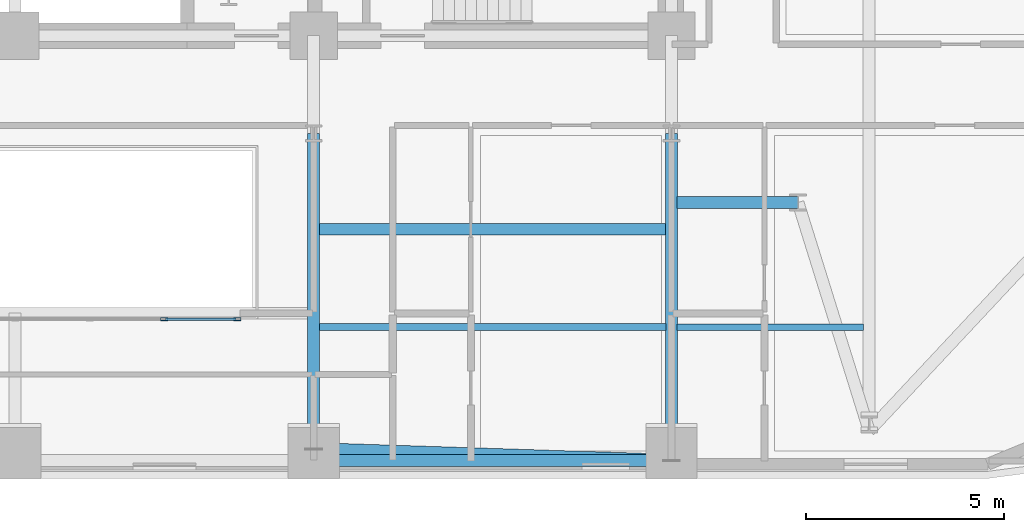
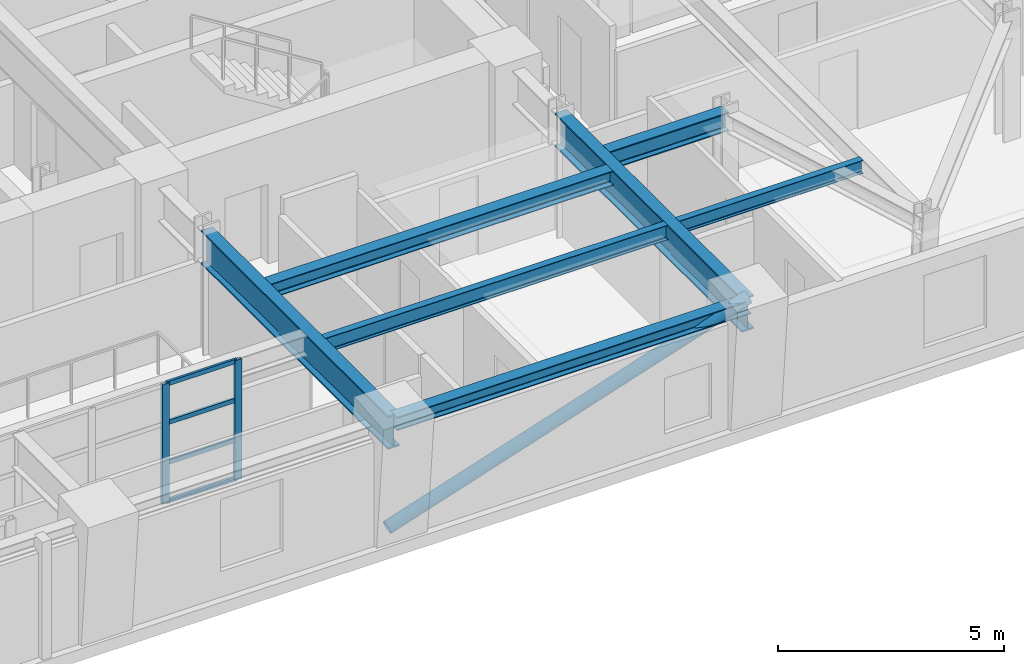
# One storey, part 5 of 16: 7 beams, 7 members, 1 element without a shape of its own.
"""IFC4 building model written with IfcOpenShell, lengths in metres."""

from ifc_helpers import new_model, si_unit, direction, frame, origin, origin_2d, place, context, subcontext, project, spatial, hollow_rectangle, hollow_circle, i_section, extrude, material, layer, layer_set, material_profile, profile_set, type_object, element, aggregate, save


model = new_model("IFC4")

# Units and contexts
model_context = context("Model", 3, precision=1e-05, world=origin(), true_north=direction((0.0, 1.0)))
body_context = subcontext(model_context, "Body", "Model", "MODEL_VIEW")
ifc_project = project(units=[si_unit("LENGTHUNIT", "METRE"), si_unit("AREAUNIT", "SQUARE_METRE"), si_unit("VOLUMEUNIT", "CUBIC_METRE"), si_unit("PLANEANGLEUNIT", "RADIAN"), si_unit("MASSUNIT", "GRAM", prefix="KILO")], contexts=[model_context])

# Site, building, storey
site_placement = place(None, origin())
site = spatial("IfcSite", under=ifc_project, at=site_placement, CompositionType="ELEMENT")
building_placement = place(site_placement, origin())
building = spatial("IfcBuilding", under=site, at=building_placement, Name="Zarnavel Station Tower", CompositionType="ELEMENT")
storey_placement = place(building_placement, frame((0.0, 0.0, 97.800048828125)))
storey = spatial("IfcBuildingStorey", under=building, at=storey_placement, Name="L26", CompositionType="ELEMENT", Elevation=97.800048828125)

# Curtain wall, members
ifc_material_1 = material(Name="Aluminium Dark Anodised and Solar-Control Glass", Category="aluminium")
ifc_layer = layer(ifc_material_1, 0.179931640625)
ifc_layer_set = layer_set([ifc_layer], Name="CWS3")
curtain_wall_type = type_object("IfcCurtainWallType", Name="CWS3", PredefinedType="NOTDEFINED", material=ifc_layer_set)
curtain_wall_placement = place(storey_placement, origin())
curtain_wall = element("IfcCurtainWall", 1, at=curtain_wall_placement, inside=storey, type_object=curtain_wall_type, Name="L26 Curtain Wall CWS3-L26-AS", PredefinedType="NOTDEFINED")
ifc_material_2 = material(Name="Steel S355J2 (Black Fluoropolymer Coated)", Category="steel")
ifc_material_profile_1 = material_profile(ifc_material_2, hollow_rectangle(XDim=0.080078125, YDim=0.179931640625, WallThickness=0.00634765625, at=origin_2d()), Name="RHS180x80x6.3")
ifc_profile_set_1 = profile_set([ifc_material_profile_1], Name="Steel S355J2 (Black Fluoropolymer Coated)")
member_type_1 = type_object("IfcMemberType", Name="CWS3_MUL", PredefinedType="MULLION", material=ifc_profile_set_1)
member_1_placement = place(storey_placement, frame((32.566650390625, 20.64990234375, 0.0), z_axis=(0.0, 0.0, 1.0), x_axis=(0.0, 1.0, 0.0)))
member_1 = element("IfcMember", 2, at=member_1_placement, type_object=member_type_1, Name="CW3 mullion 6", PredefinedType="MULLION", context=body_context, shape_type="SweptSolid", body=[
    extrude(hollow_rectangle(XDim=0.080078125, YDim=0.179931640625, WallThickness=0.00634765625, at=origin_2d()), origin(), (0.0, 0.0, 1.0), 3.239990234375),
])
member_2_placement = place(storey_placement, frame((34.419921875, 20.64990234375, 0.0), z_axis=(0.0, 0.0, 1.0), x_axis=(0.0, 1.0, 0.0)))
member_2 = element("IfcMember", 3, at=member_2_placement, type_object=member_type_1, Name="CW3 mullion 7", PredefinedType="MULLION", context=body_context, shape_type="SweptSolid", body=[
    extrude(hollow_rectangle(XDim=0.080078125, YDim=0.179931640625, WallThickness=0.00634765625, at=origin_2d()), origin(), (0.0, 0.0, 1.0), 3.239990234375),
])
ifc_material_3 = material(Name="Steel S355J2 (Black Fluoropolymer Coated)", Category="steel")
ifc_material_profile_2 = material_profile(ifc_material_3, hollow_rectangle(XDim=0.06005859375, YDim=0.1201171875, WallThickness=0.0048828125, at=origin_2d()), Name="RHS120x60x5")
ifc_profile_set_2 = profile_set([ifc_material_profile_2], Name="Steel S355J2 (Black Fluoropolymer Coated)")
member_type_2 = type_object("IfcMemberType", Name="CWS3_TRN", PredefinedType="USERDEFINED", material=ifc_profile_set_2)
member_3_placement = place(storey_placement, frame((32.5966796875, 20.64990234375, 0.030029296875), z_axis=(1.0, 0.0, 0.0), x_axis=(0.0, 1.0, 0.0)))
member_3 = element("IfcMember", 4, at=member_3_placement, type_object=member_type_2, Name="CW3 transom 6.1", ObjectType="TRANSOM", PredefinedType="USERDEFINED", context=body_context, shape_type="SweptSolid", body=[
    extrude(hollow_rectangle(XDim=0.06005859375, YDim=0.1201171875, WallThickness=0.0048828125, at=origin_2d()), origin(), (0.0, 0.0, 1.0), 1.793212890625),
])
member_4_placement = place(storey_placement, frame((32.5966796875, 20.64990234375, 1.079833984375), z_axis=(1.0, 0.0, 0.0), x_axis=(0.0, 1.0, 0.0)))
member_4 = element("IfcMember", 5, at=member_4_placement, type_object=member_type_2, Name="CW3 transom 6.2", ObjectType="TRANSOM", PredefinedType="USERDEFINED", context=body_context, shape_type="SweptSolid", body=[
    extrude(hollow_rectangle(XDim=0.06005859375, YDim=0.1201171875, WallThickness=0.0048828125, at=origin_2d()), origin(), (0.0, 0.0, 1.0), 1.793212890625),
])
member_5_placement = place(storey_placement, frame((32.5966796875, 20.64990234375, 2.159912109375), z_axis=(1.0, 0.0, 0.0), x_axis=(0.0, 1.0, 0.0)))
member_5 = element("IfcMember", 6, at=member_5_placement, type_object=member_type_2, Name="CW3 transom 6.3", ObjectType="TRANSOM", PredefinedType="USERDEFINED", context=body_context, shape_type="SweptSolid", body=[
    extrude(hollow_rectangle(XDim=0.06005859375, YDim=0.1201171875, WallThickness=0.0048828125, at=origin_2d()), origin(), (0.0, 0.0, 1.0), 1.793212890625),
])
member_6_placement = place(storey_placement, frame((32.5966796875, 20.64990234375, 3.2099609375), z_axis=(1.0, 0.0, 0.0), x_axis=(0.0, 1.0, 0.0)))
member_6 = element("IfcMember", 7, at=member_6_placement, type_object=member_type_2, Name="CW3 transom 6.4", ObjectType="TRANSOM", PredefinedType="USERDEFINED", context=body_context, shape_type="SweptSolid", body=[
    extrude(hollow_rectangle(XDim=0.06005859375, YDim=0.1201171875, WallThickness=0.0048828125, at=origin_2d()), origin(), (0.0, 0.0, 1.0), 1.793212890625),
])
aggregate(curtain_wall, [member_1, member_2, member_3, member_4, member_5, member_6])

# Member
ifc_material_4 = material(Name="Steel S355J2", Category="steel")
ifc_material_profile_3 = material_profile(ifc_material_4, hollow_circle(Radius=0.161865234375, WallThickness=0.012451171875, at=origin_2d()), Name="CHS323.9x12.5")
ifc_profile_set_3 = profile_set([ifc_material_profile_3], Name="Steel S355J2")
member_type_3 = type_object("IfcMemberType", Name="DB_EXT_CHS324", PredefinedType="BRACE", material=ifc_profile_set_3)
member_7_placement = place(storey_placement, frame((36.35009765625, 17.365234375, 0.0), z_axis=(0.941042303893, -0.030515076327, 0.336909798612), x_axis=(0.032409856061, 0.999474662625, 0.0)))
element("IfcMember", 8, at=member_7_placement, inside=storey, type_object=member_type_3, Name="L26 Persian Exterior Diagonal Frame Brace 2", PredefinedType="BRACE", context=body_context, shape_type="SweptSolid", body=[
    extrude(hollow_circle(Radius=0.161865234375, WallThickness=0.012451171875, at=origin_2d()), origin(), (0.0, 0.0, 1.0), 9.61669921875),
])

# Beams
ifc_material_5 = material(Name="Steel S355J2", Category="steel")
ifc_material_profile_4 = material_profile(ifc_material_5, i_section(OverallWidth=0.300048828125, OverallDepth=0.360107421875, WebThickness=0.012451171875, FlangeThickness=0.0224609375, FilletRadius=0.027099609375, at=origin_2d()), Name="HEB360")
ifc_profile_set_4 = profile_set([ifc_material_profile_4], Name="Steel S355J2")
beam_type_1 = type_object("IfcBeamType", Name="EB_HEB360", PredefinedType="SPANDREL", material=ifc_profile_set_4)
beam_1_placement = place(storey_placement, frame((36.35009765625, 17.07177734375, 3.06005859375), z_axis=(1.0, 0.0, 0.0), x_axis=(0.0, 1.0, 0.0)))
element("IfcBeam", 9, at=beam_1_placement, inside=storey, type_object=beam_type_1, Name="L26 South Raked Spandrel 4", PredefinedType="SPANDREL", context=body_context, shape_type="SweptSolid", body=[
    extrude(i_section(OverallWidth=0.300048828125, OverallDepth=0.360107421875, WebThickness=0.012451171875, FlangeThickness=0.0224609375, FilletRadius=0.027099609375, at=origin_2d()), origin(), (0.0, 0.0, 1.0), 9.0498046875),
])
ifc_material_6 = material(Name="Steel S355J2", Category="steel")
ifc_material_profile_5 = material_profile(ifc_material_6, i_section(OverallWidth=0.300048828125, OverallDepth=0.389892578125, WebThickness=0.010986328125, FlangeThickness=0.01904296875, FilletRadius=0.027099609375, at=origin_2d()), Name="HEA400")
ifc_profile_set_5 = profile_set([ifc_material_profile_5], Name="Steel S355J2")
beam_type_2 = type_object("IfcBeamType", Name="FB_HEA400", PredefinedType="BEAM", material=ifc_profile_set_5)
beam_2_placement = place(storey_placement, frame((36.4951171875, 22.923828125, 3.044921875), z_axis=(1.0, 0.0, 0.0), x_axis=(0.0, 1.0, 0.0)))
element("IfcBeam", 10, at=beam_2_placement, inside=storey, type_object=beam_type_2, Name="L26 East Bay Beam 2", PredefinedType="BEAM", context=body_context, shape_type="SweptSolid", body=[
    extrude(i_section(OverallWidth=0.300048828125, OverallDepth=0.389892578125, WebThickness=0.010986328125, FlangeThickness=0.01904296875, FilletRadius=0.027099609375, at=origin_2d()), origin(), (0.0, 0.0, 1.0), 8.759765625),
])
ifc_material_7 = material(Name="Steel S355J2", Category="steel")
ifc_material_profile_6 = material_profile(ifc_material_7, i_section(OverallWidth=0.179931640625, OverallDepth=0.39990234375, WebThickness=0.008544921875, FlangeThickness=0.013427734375, FilletRadius=0.02099609375, at=origin_2d()), Name="IPE400")
ifc_profile_set_6 = profile_set([ifc_material_profile_6], Name="Steel S355J2")
beam_type_3 = type_object("IfcBeamType", Name="FB_IPE400", PredefinedType="BEAM", material=ifc_profile_set_6)
beam_3_placement = place(storey_placement, frame((36.4951171875, 20.44775390625, 3.0400390625), z_axis=(1.0, 0.0, 0.0), x_axis=(0.0, 1.0, 0.0)))
element("IfcBeam", 11, at=beam_3_placement, inside=storey, type_object=beam_type_3, Name="L26 East Bay Beam 1", PredefinedType="BEAM", context=body_context, shape_type="SweptSolid", body=[
    extrude(i_section(OverallWidth=0.179931640625, OverallDepth=0.39990234375, WebThickness=0.008544921875, FlangeThickness=0.013427734375, FilletRadius=0.02099609375, at=origin_2d()), origin(), (0.0, 0.0, 1.0), 8.759765625),
])
ifc_material_8 = material(Name="Steel S355J2", Category="steel")
ifc_material_profile_7 = material_profile(ifc_material_8, i_section(OverallWidth=0.300048828125, OverallDepth=0.5, WebThickness=0.014404296875, FlangeThickness=0.028076171875, FilletRadius=0.027099609375, at=origin_2d()), Name="HEB500")
ifc_profile_set_7 = profile_set([ifc_material_profile_7], Name="Steel S355J2")
beam_type_4 = type_object("IfcBeamType", Name="FG_HEB500", PredefinedType="USERDEFINED", material=ifc_profile_set_7)
beam_4_placement = place(storey_placement, frame((45.544921875, 23.60009765625, 2.989990234375), z_axis=(1.0, 0.0, 0.0), x_axis=(0.0, 1.0, 0.0)))
element("IfcBeam", 12, at=beam_4_placement, inside=storey, type_object=beam_type_4, Name="L26 East Wing South Tie 1", ObjectType="GIRDER", PredefinedType="USERDEFINED", context=body_context, shape_type="SweptSolid", body=[
    extrude(i_section(OverallWidth=0.300048828125, OverallDepth=0.5, WebThickness=0.014404296875, FlangeThickness=0.028076171875, FilletRadius=0.027099609375, at=origin_2d()), origin(), (0.0, 0.0, 1.0), 3.05517578125),
])
ifc_material_9 = material(Name="Steel S355J2", Category="steel")
ifc_material_profile_8 = material_profile(ifc_material_9, i_section(OverallWidth=0.169921875, OverallDepth=0.360107421875, WebThickness=0.008056640625, FlangeThickness=0.0126953125, FilletRadius=0.01806640625, at=origin_2d()), Name="IPE360")
ifc_profile_set_8 = profile_set([ifc_material_profile_8], Name="Steel S355J2")
beam_type_5 = type_object("IfcBeamType", Name="FJ_IPE360", PredefinedType="JOIST", material=ifc_profile_set_8)
beam_5_placement = place(storey_placement, frame((45.544921875, 20.44775390625, 3.06005859375), z_axis=(1.0, 0.0, 0.0), x_axis=(0.0, 1.0, 0.0)))
element("IfcBeam", 13, at=beam_5_placement, inside=storey, type_object=beam_type_5, Name="L26 East Wing Joist 1", PredefinedType="JOIST", context=body_context, shape_type="SweptSolid", body=[
    extrude(i_section(OverallWidth=0.169921875, OverallDepth=0.360107421875, WebThickness=0.008056640625, FlangeThickness=0.0126953125, FilletRadius=0.01806640625, at=origin_2d()), origin(), (0.0, 0.0, 1.0), 4.7099609375),
])
ifc_material_10 = material(Name="Steel S460M", Category="steel")
ifc_material_profile_9 = material_profile(ifc_material_10, i_section(OverallWidth=0.302001953125, OverallDepth=0.909912109375, WebThickness=0.02099609375, FlangeThickness=0.0400390625, FilletRadius=0.030029296875, at=origin_2d()), Name="HEM900")
ifc_profile_set_9 = profile_set([ifc_material_profile_9], Name="Steel S460M")
beam_type_6 = type_object("IfcBeamType", Name="TG_HEM900", PredefinedType="USERDEFINED", material=ifc_profile_set_9)
for number, where, z_axis, x_axis, name in (
    (14, (36.35009765625, 17.07177734375, 2.784912109375), (0.0, 1.0, 0.0), (-1.0, 0.0, 0.0), "L26 South-Zone NS Girder 4"),
    (15, (45.39990234375, 17.07177734375, 2.784912109375), (0.0, 1.0, 0.0), (-1.0, 0.0, 0.0), "L26 South-Zone NS Girder 5"),
):
    element("IfcBeam", number, at=place(storey_placement, frame(where, z_axis=z_axis, x_axis=x_axis)), inside=storey, type_object=beam_type_6, Name=name, ObjectType="GIRDER", PredefinedType="USERDEFINED", context=body_context, shape_type="SweptSolid", body=[
        extrude(i_section(OverallWidth=0.302001953125, OverallDepth=0.909912109375, WebThickness=0.02099609375, FlangeThickness=0.0400390625, FilletRadius=0.030029296875, at=origin_2d()), origin(), (0.0, 0.0, 1.0), 8.2783203125),
    ])

save(model, "model.ifc")
